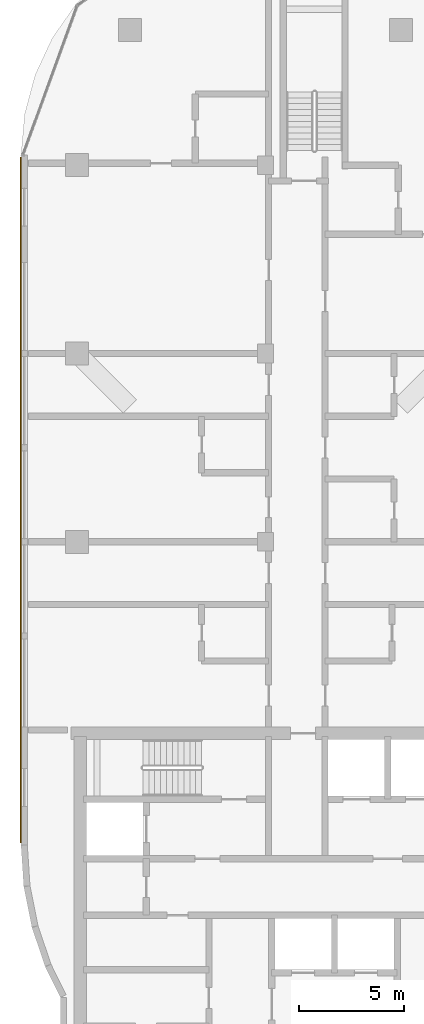
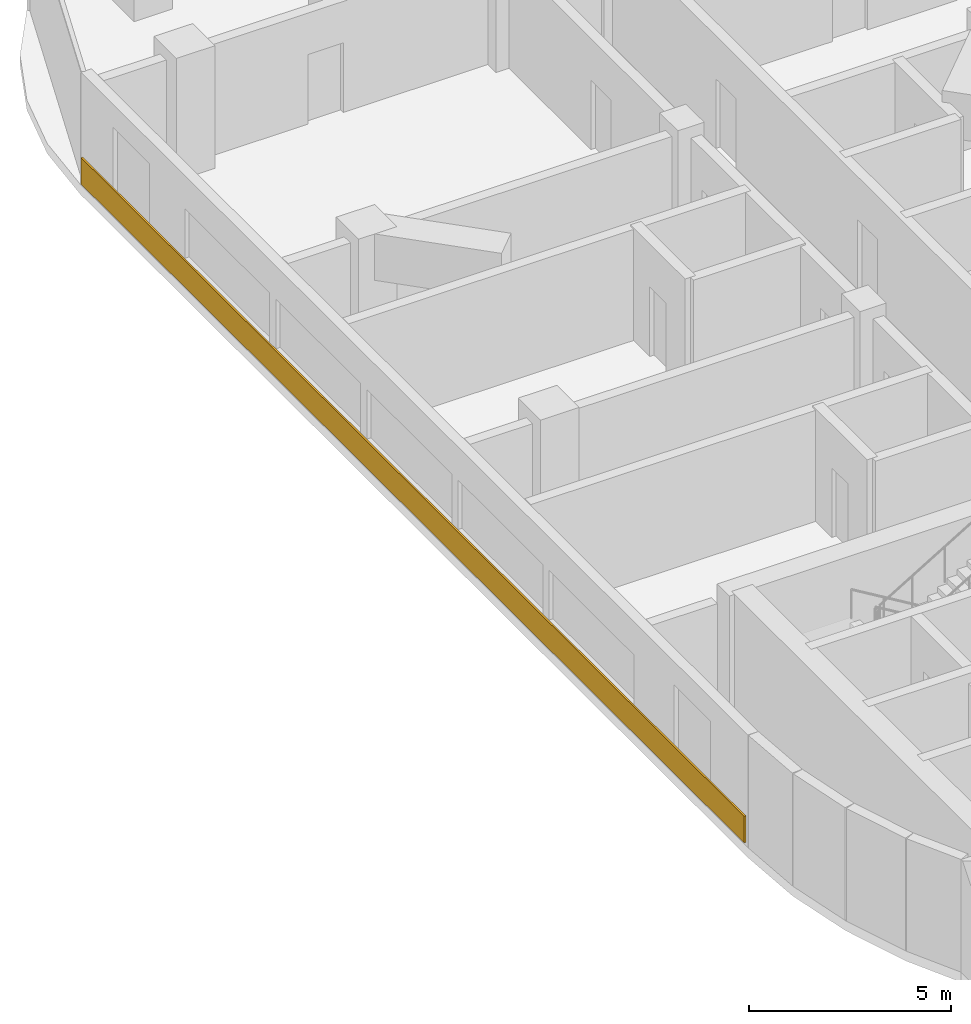
# One storey, part 19 of 23: 1 covering.
"""IFC4 building model written with IfcOpenShell, lengths in metres."""

from ifc_helpers import new_model, si_unit, direction, frame, origin, origin_2d, place, context, subcontext, project, spatial, rectangle, extrude, material, layer, layer_set, type_object, element, save


model = new_model("IFC4")

# Units and contexts
model_context = context("Model", 3, precision=1e-05, world=origin(), true_north=direction((0.0, 1.0)))
body_context = subcontext(model_context, "Body", "Model", "MODEL_VIEW")
ifc_project = project(units=[si_unit("LENGTHUNIT", "METRE"), si_unit("AREAUNIT", "SQUARE_METRE"), si_unit("VOLUMEUNIT", "CUBIC_METRE"), si_unit("PLANEANGLEUNIT", "RADIAN"), si_unit("MASSUNIT", "GRAM", prefix="KILO")], contexts=[model_context])

# Site, building, storey
site_placement = place(None, origin())
site = spatial("IfcSite", under=ifc_project, at=site_placement, CompositionType="ELEMENT")
building_placement = place(site_placement, origin())
building = spatial("IfcBuilding", under=site, at=building_placement, Name="Ogive Portal Towers", CompositionType="ELEMENT")
storey_placement = place(building_placement, frame((0.0, 0.0, 186.60009765625)))
storey = spatial("IfcBuildingStorey", under=building, at=storey_placement, Name="L46", CompositionType="ELEMENT", Elevation=186.60009765625)

# Covering
ifc_material = material(Name="Limestone cladding on lightweight block wall", Category="masonry")
ifc_layer = layer(ifc_material, 0.050048828125)
ifc_layer_set = layer_set([ifc_layer], Name="SCREEN PERFORATED STONE")
covering_type = type_object("IfcCoveringType", Name="SCREEN PERFORATED STONE", PredefinedType="CLADDING", material=ifc_layer_set)
covering_placement = place(storey_placement, frame((28.794921875, 50.497802734375, 0.10009765625), z_axis=(0.0, 0.0, 1.0), x_axis=(0.0, -1.0, 0.0)))
element("IfcCovering", 1, at=covering_placement, inside=storey, type_object=covering_type, Name="Tracery screen", PredefinedType="CLADDING", context=body_context, shape_type="SweptSolid", body=[
    extrude(rectangle(XDim=32.776123046875, YDim=0.050048828125, at=origin_2d()), origin(), (0.0, 0.0, 1.0), 0.800048828125),
])

save(model, "model.ifc")
